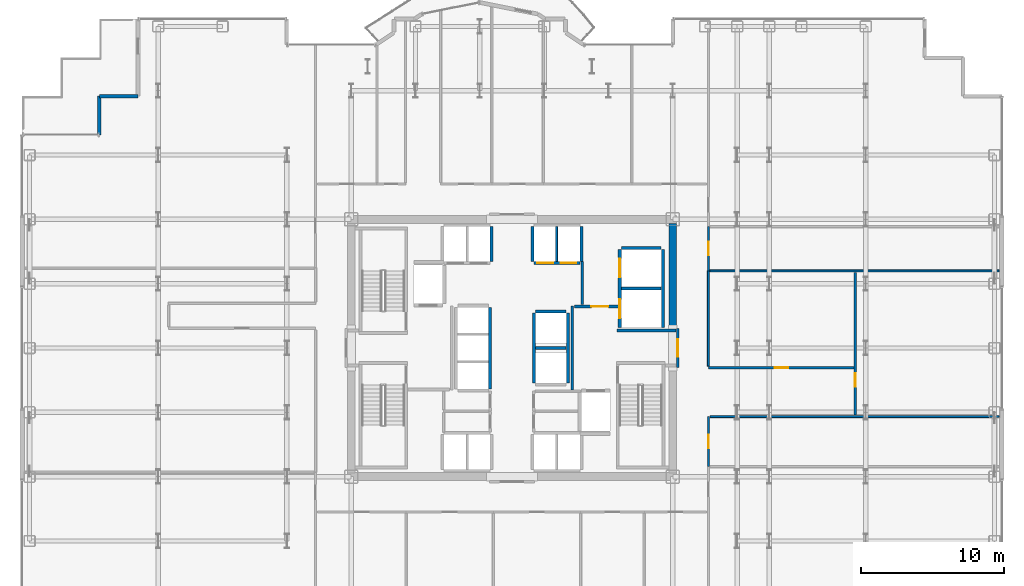
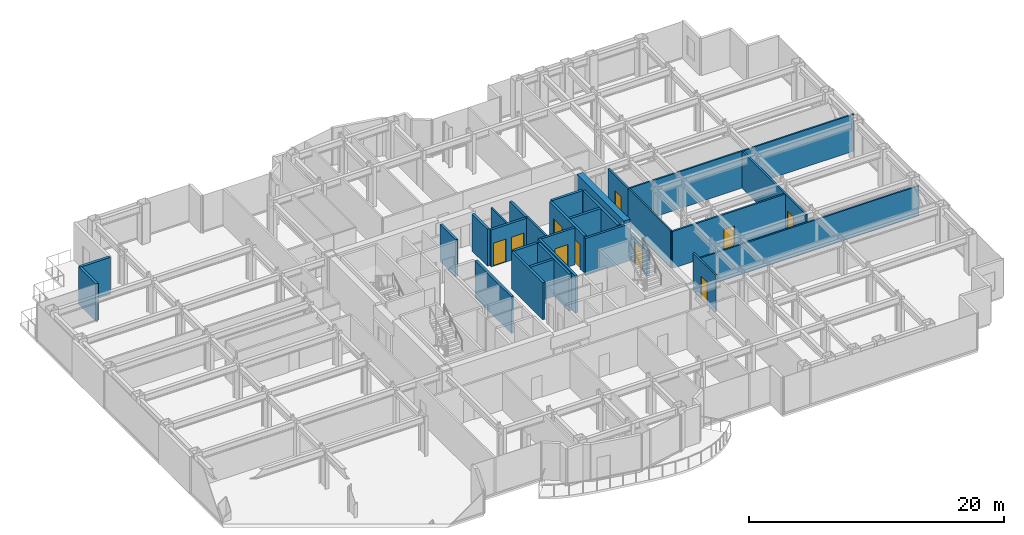
# One storey, part 25 of 29: 29 walls, 10 doors, 10 openings.
"""IFC4 building model written with IfcOpenShell, lengths in metres."""

from ifc_helpers import new_model, si_unit, direction, frame, frame_2d, origin, place, context, subcontext, project, spatial, rectangle, extrude, source, transform, mapped, material, layer, layer_set, type_object, element, fill, save


model = new_model("IFC4")

# Units and contexts
model_context = context("Model", 3, precision=1e-05, world=origin(), true_north=direction((0.0, 1.0)))
body_context = subcontext(model_context, "Body", "Model", "MODEL_VIEW")
ifc_project = project(units=[si_unit("LENGTHUNIT", "METRE"), si_unit("AREAUNIT", "SQUARE_METRE"), si_unit("VOLUMEUNIT", "CUBIC_METRE"), si_unit("PLANEANGLEUNIT", "RADIAN"), si_unit("MASSUNIT", "GRAM", prefix="KILO")], contexts=[model_context])

# Site, building, storey
site_placement = place(None, origin())
site = spatial("IfcSite", under=ifc_project, at=site_placement, CompositionType="ELEMENT")
building_placement = place(site_placement, origin())
building = spatial("IfcBuilding", under=site, at=building_placement, Name="Nefas-Gora Pilgrimage Tower", CompositionType="ELEMENT")
storey_placement = place(building_placement, frame((0.0, 0.0, 125.0)))
storey = spatial("IfcBuildingStorey", under=building, at=storey_placement, Name="L30", CompositionType="ELEMENT", Elevation=125.0)

# Walls
ifc_material_1 = material(Name="Concrete C60/75", Category="concrete")
ifc_layer_1 = layer(ifc_material_1, 0.550048828125)
ifc_layer_set_1 = layer_set([ifc_layer_1], Name="Concrete C60/75")
wall_type_1 = type_object("IfcWallType", Name="SW-CORE-550", PredefinedType="SHEAR", material=ifc_layer_set_1)
shared_shape_1 = source(origin(), body_context, "Body", "SweptSolid", [
    extrude(rectangle(XDim=7.375, YDim=0.550048828125, at=frame_2d((3.6875, 0.0))), origin(), (0.0, 0.0, 1.0), 3.800048828125),
])
wall_1_placement = place(storey_placement, frame((11.25, 1.35009765625, 0.0), z_axis=(0.0, 0.0, 1.0), x_axis=(0.0, 1.0, 0.0)))
element("IfcWall", 1, at=wall_1_placement, inside=storey, type_object=wall_type_1, Name="L30 Core Shear Wall E-North", PredefinedType="SHEAR", context=body_context, shape_type="MappedRepresentation", body=[
    mapped(shared_shape_1, transform((0.0, 0.0, 0.0), x_axis=(1.0, 0.0, 0.0), y_axis=(0.0, 1.0, 0.0), z_axis=(0.0, 0.0, 1.0), scale=1.0)),
])
ifc_material_2 = material(Name="Precast concrete C45/55", Category="concrete")
ifc_layer_2 = layer(ifc_material_2, 0.239990234375)
ifc_layer_set_2 = layer_set([ifc_layer_2], Name="Precast concrete C45/55")
wall_type_2 = type_object("IfcWallType", Name="EW-SERR-240", PredefinedType="SHEAR", material=ifc_layer_set_2)
shared_shape_2 = source(origin(), body_context, "Body", "SweptSolid", [
    extrude(rectangle(XDim=2.7001953125, YDim=0.239990234375, at=frame_2d((1.35009765625, 0.0))), origin(), (0.0, 0.0, 1.0), 3.550048828125),
])
for number, where, z_axis, x_axis, name in (
    (2, (-26.169921875, 17.6201171875, 0.0), (0.0, 0.0, 1.0), (-1.0, 0.0, 0.0), "L30 Serrated Corner Shear Pier Wall 26"),
    (3, (-28.8701171875, 17.6201171875, 0.0), (0.0, 0.0, 1.0), (0.0, -1.0, 0.0), "L30 Serrated Corner Shear Pier Wall 27"),
):
    element("IfcWall", number, at=place(storey_placement, frame(where, z_axis=z_axis, x_axis=x_axis)), inside=storey, type_object=wall_type_2, Name=name, PredefinedType="SHEAR", context=body_context, shape_type="MappedRepresentation", body=[
        mapped(shared_shape_2, transform((0.0, 0.0, 0.0), x_axis=(1.0, 0.0, 0.0), y_axis=(0.0, 1.0, 0.0), z_axis=(0.0, 0.0, 1.0), scale=1.0)),
    ])

# Wall, openings, doors
ifc_material_3 = material(Name="Concrete C40/50", Category="concrete")
ifc_layer_3 = layer(ifc_material_3, 0.219970703125)
ifc_layer_set_3 = layer_set([ifc_layer_3], Name="Concrete C40/50")
wall_type_3 = type_object("IfcWallType", Name="IW-SHAFT-220", PredefinedType="SOLIDWALL", material=ifc_layer_set_3)
shared_shape_3 = source(origin(), body_context, "Body", "SweptSolid", [
    extrude(rectangle(XDim=5.449951171875, YDim=0.219970703125, at=frame_2d((2.72509765625, 0.0))), origin(), (0.0, 0.0, 1.0), 3.534912109375),
])
wall_2_placement = place(storey_placement, frame((7.5400390625, 6.89990234375, 0.0), z_axis=(0.0, 0.0, 1.0), x_axis=(0.0, -1.0, 0.0)))
wall_2 = element("IfcWall", 4, at=wall_2_placement, inside=storey, type_object=wall_type_3, Name="L30 Hoistway Wall SL-01-02-W", PredefinedType="SOLIDWALL", context=body_context, shape_type="MappedRepresentation", body=[
    mapped(shared_shape_3, transform((0.0, 0.0, 0.0), x_axis=(1.0, 0.0, 0.0), y_axis=(0.0, 1.0, 0.0), z_axis=(0.0, 0.0, 1.0), scale=1.0)),
])
opening_1_placement = place(wall_2_placement, frame((3.5, 0.0, 0.0)))
opening_1 = element("IfcOpeningElement", 5, at=opening_1_placement, cuts=wall_2, Name="Opening LD-SV", PredefinedType="OPENING", context=body_context, shape_type="SweptSolid", body=[
    extrude(rectangle(XDim=1.300048828125, YDim=2.300048828125, at=frame_2d((0.64990234375, 1.14990234375))), frame((0.0, 0.119873046875, 0.0), z_axis=(0.0, -1.0, 0.0), x_axis=(1.0, 0.0, 0.0)), (0.0, 0.0, 1.0), 0.239990234375),
])
opening_2_placement = place(wall_2_placement, frame((0.64990234375, 0.0, 0.0)))
opening_2 = element("IfcOpeningElement", 6, at=opening_2_placement, cuts=wall_2, Name="Opening LD-SV", PredefinedType="OPENING", context=body_context, shape_type="SweptSolid", body=[
    extrude(rectangle(XDim=1.300048828125, YDim=2.300048828125, at=frame_2d((0.64990234375, 1.14990234375))), frame((0.0, 0.119873046875, 0.0), z_axis=(0.0, -1.0, 0.0), x_axis=(1.0, 0.0, 0.0)), (0.0, 0.0, 1.0), 0.239990234375),
])
ifc_material_4 = material(Name="Heavy goods sliding lift landing door")
door_type_1 = type_object("IfcDoorType", Name="DR-LIFT-SERV-1300", OperationType="SLIDING_TO_RIGHT", PredefinedType="DOOR", material=ifc_material_4)
shared_shape_4 = source(origin(), body_context, "Body", "SweptSolid", [
    extrude(rectangle(XDim=1.300048828125, YDim=2.300048828125, at=frame_2d((0.64990234375, 1.14990234375))), frame((0.0, 0.02490234375, 0.0), z_axis=(0.0, -1.0, 0.0), x_axis=(1.0, 0.0, 0.0)), (0.0, 0.0, 1.0), 0.050048828125),
])
door_1_placement = place(opening_1_placement, origin())
door_1 = element("IfcDoor", 7, at=door_1_placement, inside=storey, type_object=door_type_1, Name="L30 Sliding Lift Landing Door SL-01", OperationType="SLIDING_TO_RIGHT", OverallHeight=2.300048828125, OverallWidth=1.300048828125, PredefinedType="DOOR", context=body_context, shape_type="MappedRepresentation", body=[
    mapped(shared_shape_4, transform((0.0, 0.0, 0.0), x_axis=(1.0, 0.0, 0.0), y_axis=(0.0, 1.0, 0.0), z_axis=(0.0, 0.0, 1.0), scale=1.0)),
])
fill(opening_1, door_1)
door_2_placement = place(opening_2_placement, origin())
door_2 = element("IfcDoor", 8, at=door_2_placement, inside=storey, type_object=door_type_1, Name="L30 Sliding Lift Landing Door SL-02", OperationType="SLIDING_TO_RIGHT", OverallHeight=2.300048828125, OverallWidth=1.300048828125, PredefinedType="DOOR", context=body_context, shape_type="MappedRepresentation", body=[
    mapped(shared_shape_4, transform((0.0, 0.0, 0.0), x_axis=(1.0, 0.0, 0.0), y_axis=(0.0, 1.0, 0.0), z_axis=(0.0, 0.0, 1.0), scale=1.0)),
])
fill(opening_2, door_2)

# Walls
wall_3_placement = place(storey_placement, frame((10.56005859375, 1.449951171875, 0.0), z_axis=(0.0, 0.0, 1.0), x_axis=(0.0, 1.0, 0.0)))
element("IfcWall", 9, at=wall_3_placement, inside=storey, type_object=wall_type_3, Name="L30 Hoistway Wall SL-01-02-E", PredefinedType="SOLIDWALL", context=body_context, shape_type="MappedRepresentation", body=[
    mapped(shared_shape_3, transform((0.0, 0.0, 0.0), x_axis=(1.0, 0.0, 0.0), y_axis=(0.0, 1.0, 0.0), z_axis=(0.0, 0.0, 1.0), scale=1.0)),
])
shared_shape_5 = source(origin(), body_context, "Body", "SweptSolid", [
    extrude(rectangle(XDim=2.780029296875, YDim=0.219970703125, at=frame_2d((1.39013671875, 0.0))), origin(), (0.0, 0.0, 1.0), 3.534912109375),
])
for number, where, z_axis, x_axis, name in (
    (10, (7.659912109375, 4.175048828125, 0.0), (0.0, 0.0, 1.0), (1.0, 0.0, 0.0), "L30 Hoistway Wall SL-01-02-DIV"),
    (11, (10.43994140625, 7.010009765625, 0.0), (0.0, 0.0, 1.0), (-1.0, 0.0, 0.0), "L30 Hoistway Wall SL-02-N"),
):
    element("IfcWall", number, at=place(storey_placement, frame(where, z_axis=z_axis, x_axis=x_axis)), inside=storey, type_object=wall_type_3, Name=name, PredefinedType="SOLIDWALL", context=body_context, shape_type="MappedRepresentation", body=[
        mapped(shared_shape_5, transform((0.0, 0.0, 0.0), x_axis=(1.0, 0.0, 0.0), y_axis=(0.0, 1.0, 0.0), z_axis=(0.0, 0.0, 1.0), scale=1.0)),
    ])

# Wall, openings, doors
shared_shape_6 = source(origin(), body_context, "Body", "SweptSolid", [
    extrude(rectangle(XDim=3.199951171875, YDim=0.219970703125, at=frame_2d((1.60009765625, 0.0))), origin(), (0.0, 0.0, 1.0), 3.534912109375),
])
wall_4_placement = place(storey_placement, frame((1.550048828125, 5.93994140625, 0.0), z_axis=(0.0, 0.0, 1.0), x_axis=(1.0, 0.0, 0.0)))
wall_4 = element("IfcWall", 12, at=wall_4_placement, inside=storey, type_object=wall_type_3, Name="L30 Hoistway Wall PL1-E-S", PredefinedType="SOLIDWALL", context=body_context, shape_type="MappedRepresentation", body=[
    mapped(shared_shape_6, transform((0.0, 0.0, 0.0), x_axis=(1.0, 0.0, 0.0), y_axis=(0.0, 1.0, 0.0), z_axis=(0.0, 0.0, 1.0), scale=1.0)),
])
opening_3_placement = place(wall_4_placement, frame((0.22509765625, 0.0, 0.0)))
opening_3 = element("IfcOpeningElement", 13, at=opening_3_placement, cuts=wall_4, Name="Opening LD-01", PredefinedType="OPENING", context=body_context, shape_type="SweptSolid", body=[
    extrude(rectangle(XDim=1.10009765625, YDim=2.199951171875, at=frame_2d((0.550048828125, 1.10009765625))), frame((0.0, 0.119873046875, 0.0), z_axis=(0.0, -1.0, 0.0), x_axis=(1.0, 0.0, 0.0)), (0.0, 0.0, 1.0), 0.239990234375),
])
opening_4_placement = place(wall_4_placement, frame((1.85009765625, 0.0, 0.0)))
opening_4 = element("IfcOpeningElement", 14, at=opening_4_placement, cuts=wall_4, Name="Opening LD-01", PredefinedType="OPENING", context=body_context, shape_type="SweptSolid", body=[
    extrude(rectangle(XDim=1.10009765625, YDim=2.199951171875, at=frame_2d((0.550048828125, 1.10009765625))), frame((0.0, 0.119873046875, 0.0), z_axis=(0.0, -1.0, 0.0), x_axis=(1.0, 0.0, 0.0)), (0.0, 0.0, 1.0), 0.239990234375),
])
ifc_material_5 = material(Name="Brushed stainless sliding lift landing door")
door_type_2 = type_object("IfcDoorType", Name="DR-LIFT-PASS-1100", OperationType="DOUBLE_DOOR_SLIDING", PredefinedType="DOOR", material=ifc_material_5)
shared_shape_7 = source(origin(), body_context, "Body", "SweptSolid", [
    extrude(rectangle(XDim=1.10009765625, YDim=2.199951171875, at=frame_2d((0.550048828125, 1.10009765625))), frame((0.0, 0.02490234375, 0.0), z_axis=(0.0, -1.0, 0.0), x_axis=(1.0, 0.0, 0.0)), (0.0, 0.0, 1.0), 0.050048828125),
])
door_3_placement = place(opening_3_placement, origin())
door_3 = element("IfcDoor", 15, at=door_3_placement, inside=storey, type_object=door_type_2, Name="L30 Sliding Lift Landing Door PL1-03", OperationType="DOUBLE_DOOR_SLIDING", OverallHeight=2.199951171875, OverallWidth=1.10009765625, PredefinedType="DOOR", context=body_context, shape_type="MappedRepresentation", body=[
    mapped(shared_shape_7, transform((0.0, 0.0, 0.0), x_axis=(1.0, 0.0, 0.0), y_axis=(0.0, 1.0, 0.0), z_axis=(0.0, 0.0, 1.0), scale=1.0)),
])
fill(opening_3, door_3)
door_4_placement = place(opening_4_placement, origin())
door_4 = element("IfcDoor", 16, at=door_4_placement, inside=storey, type_object=door_type_2, Name="L30 Sliding Lift Landing Door PL1-04", OperationType="DOUBLE_DOOR_SLIDING", OverallHeight=2.199951171875, OverallWidth=1.10009765625, PredefinedType="DOOR", context=body_context, shape_type="MappedRepresentation", body=[
    mapped(shared_shape_7, transform((0.0, 0.0, 0.0), x_axis=(1.0, 0.0, 0.0), y_axis=(0.0, 1.0, 0.0), z_axis=(0.0, 0.0, 1.0), scale=1.0)),
])
fill(opening_4, door_4)

# Walls
shared_shape_8 = source(origin(), body_context, "Body", "SweptSolid", [
    extrude(rectangle(XDim=2.429931640625, YDim=0.219970703125, at=frame_2d((1.21484375, 0.0))), origin(), (0.0, 0.0, 1.0), 3.534912109375),
])
for number, where, z_axis, x_axis, name in (
    (17, (-1.43994140625, 6.06005859375, 0.0), (0.0, 0.0, 1.0), (0.0, 1.0, 0.0), "L30 Hoistway Wall PL1-W-E"),
    (18, (1.43994140625, 8.489990234375, 0.0), (0.0, 0.0, 1.0), (0.0, -1.0, 0.0), "L30 Hoistway Wall PL1-E-W"),
    (19, (4.860107421875, 6.06005859375, 0.0), (0.0, 0.0, 1.0), (0.0, 1.0, 0.0), "L30 Hoistway Wall PL1-E-E"),
):
    element("IfcWall", number, at=place(storey_placement, frame(where, z_axis=z_axis, x_axis=x_axis)), inside=storey, type_object=wall_type_3, Name=name, PredefinedType="SOLIDWALL", context=body_context, shape_type="MappedRepresentation", body=[
        mapped(shared_shape_8, transform((0.0, 0.0, 0.0), x_axis=(1.0, 0.0, 0.0), y_axis=(0.0, 1.0, 0.0), z_axis=(0.0, 0.0, 1.0), scale=1.0)),
    ])
ifc_material_6 = material(Name="Gypsum twin-stud partition")
ifc_layer_4 = layer(ifc_material_6, 0.139892578125)
ifc_layer_set_4 = layer_set([ifc_layer_4], Name="Gypsum twin-stud partition")
wall_type_4 = type_object("IfcWallType", Name="IW-UNIT-140", PredefinedType="PARTITIONING", material=ifc_layer_set_4)
shared_shape_9 = source(origin(), body_context, "Body", "SweptSolid", [
    extrude(rectangle(XDim=2.429931640625, YDim=0.139892578125, at=frame_2d((1.21484375, 0.0))), origin(), (0.0, 0.0, 1.0), 3.534912109375),
])
wall_5_placement = place(storey_placement, frame((3.125, 6.06005859375, 0.0), z_axis=(0.0, 0.0, 1.0), x_axis=(0.0, 1.0, 0.0)))
element("IfcWall", 20, at=wall_5_placement, inside=storey, type_object=wall_type_4, Name="L30 Hoistway Wall PL1-E-DIV", PredefinedType="PARTITIONING", context=body_context, shape_type="MappedRepresentation", body=[
    mapped(shared_shape_9, transform((0.0, 0.0, 0.0), x_axis=(1.0, 0.0, 0.0), y_axis=(0.0, 1.0, 0.0), z_axis=(0.0, 0.0, 1.0), scale=1.0)),
])
shared_shape_10 = source(origin(), body_context, "Body", "SweptSolid", [
    extrude(rectangle(XDim=5.7001953125, YDim=0.219970703125, at=frame_2d((2.85009765625, 0.0))), origin(), (0.0, 0.0, 1.0), 3.534912109375),
])
wall_6_placement = place(storey_placement, frame((-1.5400390625, -2.85009765625, 0.0), z_axis=(0.0, 0.0, 1.0), x_axis=(0.0, 1.0, 0.0)))
element("IfcWall", 21, at=wall_6_placement, inside=storey, type_object=wall_type_3, Name="L30 Hoistway Wall PL3-01-03-E", PredefinedType="SOLIDWALL", context=body_context, shape_type="MappedRepresentation", body=[
    mapped(shared_shape_10, transform((0.0, 0.0, 0.0), x_axis=(1.0, 0.0, 0.0), y_axis=(0.0, 1.0, 0.0), z_axis=(0.0, 0.0, 1.0), scale=1.0)),
])
shared_shape_11 = source(origin(), body_context, "Body", "SweptSolid", [
    extrude(rectangle(XDim=2.130126953125, YDim=0.219970703125, at=frame_2d((1.06494140625, 0.0))), origin(), (0.0, 0.0, 1.0), 3.534912109375),
])
for number, where, z_axis, x_axis, name in (
    (22, (1.659912109375, 0.0, 0.0), (0.0, 0.0, 1.0), (1.0, 0.0, 0.0), "L30 Hoistway Wall OBS-01-02-DIV"),
    (23, (3.7900390625, 2.56005859375, 0.0), (0.0, 0.0, 1.0), (-1.0, 0.0, 0.0), "L30 Hoistway Wall OBS-02-N"),
):
    element("IfcWall", number, at=place(storey_placement, frame(where, z_axis=z_axis, x_axis=x_axis)), inside=storey, type_object=wall_type_3, Name=name, PredefinedType="SOLIDWALL", context=body_context, shape_type="MappedRepresentation", body=[
        mapped(shared_shape_11, transform((0.0, 0.0, 0.0), x_axis=(1.0, 0.0, 0.0), y_axis=(0.0, 1.0, 0.0), z_axis=(0.0, 0.0, 1.0), scale=1.0)),
    ])
shared_shape_12 = source(origin(), body_context, "Body", "SweptSolid", [
    extrude(rectangle(XDim=4.89990234375, YDim=0.219970703125, at=frame_2d((2.449951171875, 0.0))), origin(), (0.0, 0.0, 1.0), 3.534912109375),
])
for number, where, z_axis, x_axis, name in (
    (24, (1.5400390625, 2.449951171875, 0.0), (0.0, 0.0, 1.0), (0.0, -1.0, 0.0), "L30 Hoistway Wall OBS-01-02-W"),
    (25, (3.909912109375, -2.449951171875, 0.0), (0.0, 0.0, 1.0), (0.0, 1.0, 0.0), "L30 Hoistway Wall OBS-01-02-E"),
):
    element("IfcWall", number, at=place(storey_placement, frame(where, z_axis=z_axis, x_axis=x_axis)), inside=storey, type_object=wall_type_3, Name=name, PredefinedType="SOLIDWALL", context=body_context, shape_type="MappedRepresentation", body=[
        mapped(shared_shape_12, transform((0.0, 0.0, 0.0), x_axis=(1.0, 0.0, 0.0), y_axis=(0.0, 1.0, 0.0), z_axis=(0.0, 0.0, 1.0), scale=1.0)),
    ])

# Wall, opening, door
ifc_material_7 = material(Name="Gypsum fire-rated shaftwall")
ifc_layer_5 = layer(ifc_material_7, 0.199951171875)
ifc_layer_set_5 = layer_set([ifc_layer_5], Name="Gypsum fire-rated shaftwall")
wall_type_5 = type_object("IfcWallType", Name="IW-FFLOB-200", PredefinedType="PARTITIONING", material=ifc_layer_set_5)
shared_shape_13 = source(origin(), body_context, "Body", "SweptSolid", [
    extrude(rectangle(XDim=2.7001953125, YDim=0.199951171875, at=frame_2d((1.35009765625, 0.0))), origin(), (0.0, 0.0, 1.0), 2.425048828125),
])
wall_7_placement = place(storey_placement, frame((11.60009765625, -1.35009765625, 0.0), z_axis=(0.0, 0.0, 1.0), x_axis=(0.0, 1.0, 0.0)))
wall_7 = element("IfcWall", 26, at=wall_7_placement, inside=storey, type_object=wall_type_5, Name="L30 FF Lobby East Portal Wall 8", PredefinedType="PARTITIONING", context=body_context, shape_type="MappedRepresentation", body=[
    mapped(shared_shape_13, transform((0.0, 0.0, 0.0), x_axis=(1.0, 0.0, 0.0), y_axis=(0.0, 1.0, 0.0), z_axis=(0.0, 0.0, 1.0), scale=1.0)),
])
opening_5_placement = place(wall_7_placement, frame((0.75, 0.0, 0.0)))
opening_5 = element("IfcOpeningElement", 27, at=opening_5_placement, cuts=wall_7, Name="Opening ID-FF1", PredefinedType="OPENING", context=body_context, shape_type="SweptSolid", body=[
    extrude(rectangle(XDim=1.199951171875, YDim=2.14990234375, at=frame_2d((0.60009765625, 1.074951171875))), frame((0.0, 0.10986328125, 0.0), z_axis=(0.0, -1.0, 0.0), x_axis=(1.0, 0.0, 0.0)), (0.0, 0.0, 1.0), 0.219970703125),
])
ifc_material_8 = material(Name="Smoke-sealed steel firefighting lobby door", Category="steel")
door_type_3 = type_object("IfcDoorType", Name="DR-INT-FFLOB-1200", OperationType="NOTDEFINED", PredefinedType="DOOR", material=ifc_material_8)
shared_shape_14 = source(origin(), body_context, "Body", "SweptSolid", [
    extrude(rectangle(XDim=1.199951171875, YDim=2.14990234375, at=frame_2d((0.60009765625, 1.074951171875))), frame((0.0, 0.02490234375, 0.0), z_axis=(0.0, -1.0, 0.0), x_axis=(1.0, 0.0, 0.0)), (0.0, 0.0, 1.0), 0.050048828125),
])
door_5_placement = place(opening_5_placement, origin())
door_5 = element("IfcDoor", 28, at=door_5_placement, inside=storey, type_object=door_type_3, Name="L30 FF Lobby East Portal Door 2", OperationType="SINGLE_SWING_LEFT", OverallHeight=2.14990234375, OverallWidth=1.199951171875, PredefinedType="DOOR", context=body_context, shape_type="MappedRepresentation", body=[
    mapped(shared_shape_14, transform((0.0, 0.0, 0.0), x_axis=(1.0, 0.0, 0.0), y_axis=(0.0, 1.0, 0.0), z_axis=(0.0, 0.0, 1.0), scale=1.0)),
])
fill(opening_5, door_5)

# Wall
shared_shape_15 = source(origin(), body_context, "Body", "SweptSolid", [
    extrude(rectangle(XDim=5.89990234375, YDim=0.199951171875, at=frame_2d((2.949951171875, 0.0))), origin(), (0.0, 0.0, 1.0), 3.534912109375),
])
wall_8_placement = place(storey_placement, frame((4.219970703125, -2.949951171875, 0.0), z_axis=(0.0, 0.0, 1.0), x_axis=(0.0, 1.0, 0.0)))
element("IfcWall", 29, at=wall_8_placement, inside=storey, type_object=wall_type_5, Name="L30 FF Lobby East Inner Wall Wall 9", PredefinedType="PARTITIONING", context=body_context, shape_type="MappedRepresentation", body=[
    mapped(shared_shape_15, transform((0.0, 0.0, 0.0), x_axis=(1.0, 0.0, 0.0), y_axis=(0.0, 1.0, 0.0), z_axis=(0.0, 0.0, 1.0), scale=1.0)),
])

# Wall, opening, door
shared_shape_16 = source(origin(), body_context, "Body", "SweptSolid", [
    extrude(rectangle(XDim=3.039794921875, YDim=0.199951171875, at=frame_2d((1.52001953125, 0.0))), origin(), (0.0, 0.0, 1.0), 3.534912109375),
])
wall_9_placement = place(storey_placement, frame((4.360107421875, 2.89990234375, 0.0), z_axis=(0.0, 0.0, 1.0), x_axis=(1.0, 0.0, 0.0)))
wall_9 = element("IfcWall", 30, at=wall_9_placement, inside=storey, type_object=wall_type_5, Name="L30 FF Lobby East North Wall Wall 10", PredefinedType="PARTITIONING", context=body_context, shape_type="MappedRepresentation", body=[
    mapped(shared_shape_16, transform((0.0, 0.0, 0.0), x_axis=(1.0, 0.0, 0.0), y_axis=(0.0, 1.0, 0.0), z_axis=(0.0, 0.0, 1.0), scale=1.0)),
])
opening_6_placement = place(wall_9_placement, frame((1.18994140625, 0.0, 0.0)))
opening_6 = element("IfcOpeningElement", 31, at=opening_6_placement, cuts=wall_9, Name="Opening ID-PL1", PredefinedType="OPENING", context=body_context, shape_type="SweptSolid", body=[
    extrude(rectangle(XDim=1.199951171875, YDim=2.14990234375, at=frame_2d((0.60009765625, 1.074951171875))), frame((0.0, 0.10986328125, 0.0), z_axis=(0.0, -1.0, 0.0), x_axis=(1.0, 0.0, 0.0)), (0.0, 0.0, 1.0), 0.219970703125),
])
ifc_material_9 = material(Name="Heavy-duty steel plant room fire door", Category="steel")
door_type_4 = type_object("IfcDoorType", Name="DR-INT-PLANT-1200", OperationType="NOTDEFINED", PredefinedType="DOOR", material=ifc_material_9)
door_6_placement = place(opening_6_placement, origin())
door_6 = element("IfcDoor", 32, at=door_6_placement, inside=storey, type_object=door_type_4, Name="L30 Service Lift Lobby Door Door 3", OperationType="SINGLE_SWING_RIGHT", OverallHeight=2.14990234375, OverallWidth=1.199951171875, PredefinedType="DOOR", context=body_context, shape_type="MappedRepresentation", body=[
    mapped(shared_shape_14, transform((0.0, 0.0, 0.0), x_axis=(1.0, 0.0, 0.0), y_axis=(0.0, 1.0, 0.0), z_axis=(0.0, 0.0, 1.0), scale=1.0)),
])
fill(opening_6, door_6)

# Walls
shared_shape_17 = source(origin(), body_context, "Body", "SweptSolid", [
    extrude(rectangle(XDim=4.10986328125, YDim=0.199951171875, at=frame_2d((2.054931640625, 0.0))), origin(), (0.0, 0.0, 1.0), 3.534912109375),
])
wall_10_placement = place(storey_placement, frame((7.35009765625, 1.219970703125, 0.0), z_axis=(0.0, 0.0, 1.0), x_axis=(1.0, 0.0, 0.0)))
element("IfcWall", 33, at=wall_10_placement, inside=storey, type_object=wall_type_5, Name="L30 FF Lobby East Throat N Wall 11", PredefinedType="PARTITIONING", context=body_context, shape_type="MappedRepresentation", body=[
    mapped(shared_shape_17, transform((0.0, 0.0, 0.0), x_axis=(1.0, 0.0, 0.0), y_axis=(0.0, 1.0, 0.0), z_axis=(0.0, 0.0, 1.0), scale=1.0)),
])
ifc_material_10 = material(Name="Gypsum acoustic stud partition")
ifc_layer_6 = layer(ifc_material_10, 0.159912109375)
ifc_layer_set_6 = layer_set([ifc_layer_6], Name="Gypsum acoustic stud partition")
wall_type_6 = type_object("IfcWallType", Name="IW-CORR-160", PredefinedType="PARTITIONING", material=ifc_layer_set_6)
shared_shape_18 = source(origin(), body_context, "Body", "SweptSolid", [
    extrude(rectangle(XDim=3.014892578125, YDim=0.159912109375, at=frame_2d((1.50732421875, 0.0))), origin(), (0.0, 0.0, 1.0), 3.534912109375),
])
wall_11_placement = place(storey_placement, frame((4.919921875, 3.0400390625, 0.0), z_axis=(0.0, 0.0, 1.0), x_axis=(0.0, 1.0, 0.0)))
element("IfcWall", 34, at=wall_11_placement, inside=storey, type_object=wall_type_6, Name="L30 Service Lift Lobby West Wall Wall 15", PredefinedType="PARTITIONING", context=body_context, shape_type="MappedRepresentation", body=[
    mapped(shared_shape_18, transform((0.0, 0.0, 0.0), x_axis=(1.0, 0.0, 0.0), y_axis=(0.0, 1.0, 0.0), z_axis=(0.0, 0.0, 1.0), scale=1.0)),
])

# Wall, opening, door
shared_shape_19 = source(origin(), body_context, "Body", "SweptSolid", [
    extrude(rectangle(XDim=10.25, YDim=0.159912109375, at=frame_2d((5.125, 0.0))), origin(), (0.0, 0.0, 1.0), 3.534912109375),
])
wall_12_placement = place(storey_placement, frame((13.72998046875, -1.3798828125, 0.0), z_axis=(0.0, 0.0, 1.0), x_axis=(1.0, 0.0, 0.0)))
wall_12 = element("IfcWall", 35, at=wall_12_placement, inside=storey, type_object=wall_type_6, Name="L30 Pilgrim Tea and Beverage Pantry Partition Wall 41", PredefinedType="PARTITIONING", context=body_context, shape_type="MappedRepresentation", body=[
    mapped(shared_shape_19, transform((0.0, 0.0, 0.0), x_axis=(1.0, 0.0, 0.0), y_axis=(0.0, 1.0, 0.0), z_axis=(0.0, 0.0, 1.0), scale=1.0)),
])
opening_7_placement = place(wall_12_placement, frame((4.64990234375, 0.0, 0.0)))
opening_7 = element("IfcOpeningElement", 36, at=opening_7_placement, cuts=wall_12, Name="Opening ID-GR1", PredefinedType="OPENING", context=body_context, shape_type="SweptSolid", body=[
    extrude(rectangle(XDim=0.949951171875, YDim=2.10009765625, at=frame_2d((0.47509765625, 1.050048828125))), frame((0.0, 0.08984375, 0.0), z_axis=(0.0, -1.0, 0.0), x_axis=(1.0, 0.0, 0.0)), (0.0, 0.0, 1.0), 0.179931640625),
])
ifc_material_11 = material(Name="Solid core oak fire-rated guest entrance door")
door_type_5 = type_object("IfcDoorType", Name="DR-INT-GUEST-950", OperationType="NOTDEFINED", PredefinedType="DOOR", material=ifc_material_11)
shared_shape_20 = source(origin(), body_context, "Body", "SweptSolid", [
    extrude(rectangle(XDim=0.949951171875, YDim=2.10009765625, at=frame_2d((0.47509765625, 1.050048828125))), frame((0.0, 0.02490234375, 0.0), z_axis=(0.0, -1.0, 0.0), x_axis=(1.0, 0.0, 0.0)), (0.0, 0.0, 1.0), 0.050048828125),
])
door_7_placement = place(opening_7_placement, origin())
door_7 = element("IfcDoor", 37, at=door_7_placement, inside=storey, type_object=door_type_5, Name="L30 Pilgrim Tea and Beverage Pantry Door 16", OperationType="SINGLE_SWING_LEFT", OverallHeight=2.10009765625, OverallWidth=0.949951171875, PredefinedType="DOOR", context=body_context, shape_type="MappedRepresentation", body=[
    mapped(shared_shape_20, transform((0.0, 0.0, 0.0), x_axis=(1.0, 0.0, 0.0), y_axis=(0.0, 1.0, 0.0), z_axis=(0.0, 0.0, 1.0), scale=1.0)),
])
fill(opening_7, door_7)

# Walls
shared_shape_21 = source(origin(), body_context, "Body", "SweptSolid", [
    extrude(rectangle(XDim=20.22998046875, YDim=0.139892578125, at=frame_2d((10.114990234375, 0.0))), origin(), (0.0, 0.0, 1.0), 3.534912109375),
])
wall_13_placement = place(storey_placement, frame((13.85009765625, 5.39501953125, 0.0), z_axis=(0.0, 0.0, 1.0), x_axis=(1.0, 0.0, 0.0)))
element("IfcWall", 38, at=wall_13_placement, inside=storey, type_object=wall_type_4, Name="L30 Pilgrim Tea and Beverage Pantry Partition Wall 43", PredefinedType="PARTITIONING", context=body_context, shape_type="MappedRepresentation", body=[
    mapped(shared_shape_21, transform((0.0, 0.0, 0.0), x_axis=(1.0, 0.0, 0.0), y_axis=(0.0, 1.0, 0.0), z_axis=(0.0, 0.0, 1.0), scale=1.0)),
])
shared_shape_22 = source(origin(), body_context, "Body", "SweptSolid", [
    extrude(rectangle(XDim=6.6650390625, YDim=0.139892578125, at=frame_2d((3.33251953125, 0.0))), origin(), (0.0, 0.0, 1.0), 3.534912109375),
])
wall_14_placement = place(storey_placement, frame((13.739990234375, -1.260009765625, 0.0), z_axis=(0.0, 0.0, 1.0), x_axis=(0.0, 1.0, 0.0)))
element("IfcWall", 39, at=wall_14_placement, inside=storey, type_object=wall_type_4, Name="L30 Pilgrim Tea and Beverage Pantry Partition Wall 42", PredefinedType="PARTITIONING", context=body_context, shape_type="MappedRepresentation", body=[
    mapped(shared_shape_22, transform((0.0, 0.0, 0.0), x_axis=(1.0, 0.0, 0.0), y_axis=(0.0, 1.0, 0.0), z_axis=(0.0, 0.0, 1.0), scale=1.0)),
])
shared_shape_23 = source(origin(), body_context, "Body", "SweptSolid", [
    extrude(rectangle(XDim=20.219970703125, YDim=0.139892578125, at=frame_2d((10.10986328125, 0.0))), origin(), (0.0, 0.0, 1.0), 2.875),
])
wall_15_placement = place(storey_placement, frame((13.860107421875, -4.804931640625, 0.0), z_axis=(0.0, 0.0, 1.0), x_axis=(1.0, 0.0, 0.0)))
element("IfcWall", 40, at=wall_15_placement, inside=storey, type_object=wall_type_4, Name="L30 Pilgrim Tea and Beverage Pantry Partition Wall 40", PredefinedType="PARTITIONING", context=body_context, shape_type="MappedRepresentation", body=[
    mapped(shared_shape_23, transform((0.0, 0.0, 0.0), x_axis=(1.0, 0.0, 0.0), y_axis=(0.0, 1.0, 0.0), z_axis=(0.0, 0.0, 1.0), scale=1.0)),
])

# Wall, opening, door
shared_shape_24 = source(origin(), body_context, "Body", "SweptSolid", [
    extrude(rectangle(XDim=3.510009765625, YDim=0.159912109375, at=frame_2d((1.7548828125, 0.0))), origin(), (0.0, 0.0, 1.0), 3.534912109375),
])
wall_16_placement = place(storey_placement, frame((13.739990234375, -8.304931640625, 0.0), z_axis=(0.0, 0.0, 1.0), x_axis=(0.0, 1.0, 0.0)))
wall_16 = element("IfcWall", 41, at=wall_16_placement, inside=storey, type_object=wall_type_6, Name="L30 Pilgrim Tea and Beverage Pantry Partition Wall 39", PredefinedType="PARTITIONING", context=body_context, shape_type="MappedRepresentation", body=[
    mapped(shared_shape_24, transform((0.0, 0.0, 0.0), x_axis=(1.0, 0.0, 0.0), y_axis=(0.0, 1.0, 0.0), z_axis=(0.0, 0.0, 1.0), scale=1.0)),
])
opening_8_placement = place(wall_16_placement, frame((1.280029296875, 0.0, 0.0)))
opening_8 = element("IfcOpeningElement", 42, at=opening_8_placement, cuts=wall_16, Name="Opening ID-GR1", PredefinedType="OPENING", context=body_context, shape_type="SweptSolid", body=[
    extrude(rectangle(XDim=0.949951171875, YDim=2.10009765625, at=frame_2d((0.47509765625, 1.050048828125))), frame((0.0, 0.08984375, 0.0), z_axis=(0.0, -1.0, 0.0), x_axis=(1.0, 0.0, 0.0)), (0.0, 0.0, 1.0), 0.179931640625),
])
door_8_placement = place(opening_8_placement, origin())
door_8 = element("IfcDoor", 43, at=door_8_placement, inside=storey, type_object=door_type_5, Name="L30 Pilgrim Tea and Beverage Pantry Door 15", OperationType="SINGLE_SWING_RIGHT", OverallHeight=2.10009765625, OverallWidth=0.949951171875, PredefinedType="DOOR", context=body_context, shape_type="MappedRepresentation", body=[
    mapped(shared_shape_20, transform((0.0, 0.0, 0.0), x_axis=(1.0, 0.0, 0.0), y_axis=(0.0, 1.0, 0.0), z_axis=(0.0, 0.0, 1.0), scale=1.0)),
])
fill(opening_8, door_8)

shared_shape_25 = source(origin(), body_context, "Body", "SweptSolid", [
    extrude(rectangle(XDim=9.97998046875, YDim=0.159912109375, at=frame_2d((4.989990234375, 0.0))), origin(), (0.0, 0.0, 1.0), 3.534912109375),
])
wall_17_placement = place(storey_placement, frame((24.02001953125, -4.695068359375, 0.0), z_axis=(0.0, 0.0, 1.0), x_axis=(0.0, 1.0, 0.0)))
wall_17 = element("IfcWall", 44, at=wall_17_placement, inside=storey, type_object=wall_type_6, Name="L30 Pilgrim Tea and Beverage Pantry Partition Wall 44", PredefinedType="PARTITIONING", context=body_context, shape_type="MappedRepresentation", body=[
    mapped(shared_shape_25, transform((0.0, 0.0, 0.0), x_axis=(1.0, 0.0, 0.0), y_axis=(0.0, 1.0, 0.0), z_axis=(0.0, 0.0, 1.0), scale=1.0)),
])
opening_9_placement = place(wall_17_placement, frame((1.969970703125, 0.0, 0.0)))
opening_9 = element("IfcOpeningElement", 45, at=opening_9_placement, cuts=wall_17, Name="Opening ID-GR1", PredefinedType="OPENING", context=body_context, shape_type="SweptSolid", body=[
    extrude(rectangle(XDim=0.949951171875, YDim=2.10009765625, at=frame_2d((0.47509765625, 1.050048828125))), frame((0.0, 0.08984375, 0.0), z_axis=(0.0, -1.0, 0.0), x_axis=(1.0, 0.0, 0.0)), (0.0, 0.0, 1.0), 0.179931640625),
])
door_9_placement = place(opening_9_placement, origin())
door_9 = element("IfcDoor", 46, at=door_9_placement, inside=storey, type_object=door_type_5, Name="L30 Pilgrim Tea and Beverage Pantry Door 17", OperationType="SINGLE_SWING_RIGHT", OverallHeight=2.10009765625, OverallWidth=0.949951171875, PredefinedType="DOOR", context=body_context, shape_type="MappedRepresentation", body=[
    mapped(shared_shape_20, transform((0.0, 0.0, 0.0), x_axis=(1.0, 0.0, 0.0), y_axis=(0.0, 1.0, 0.0), z_axis=(0.0, 0.0, 1.0), scale=1.0)),
])
fill(opening_9, door_9)

shared_shape_26 = source(origin(), body_context, "Body", "SweptSolid", [
    extrude(rectangle(XDim=3.10986328125, YDim=0.159912109375, at=frame_2d((1.554931640625, 0.0))), origin(), (0.0, 0.0, 1.0), 3.534912109375),
])
wall_18_placement = place(storey_placement, frame((13.739990234375, 5.39501953125, 0.0), z_axis=(0.0, 0.0, 1.0), x_axis=(0.0, 1.0, 0.0)))
wall_18 = element("IfcWall", 47, at=wall_18_placement, inside=storey, type_object=wall_type_6, Name="L30 Pilgrim Fellowship Seminar Room Partition Wall 45", PredefinedType="PARTITIONING", context=body_context, shape_type="MappedRepresentation", body=[
    mapped(shared_shape_26, transform((0.0, 0.0, 0.0), x_axis=(1.0, 0.0, 0.0), y_axis=(0.0, 1.0, 0.0), z_axis=(0.0, 0.0, 1.0), scale=1.0)),
])
opening_10_placement = place(wall_18_placement, frame((1.080078125, 0.0, 0.0)))
opening_10 = element("IfcOpeningElement", 48, at=opening_10_placement, cuts=wall_18, Name="Opening ID-GR1", PredefinedType="OPENING", context=body_context, shape_type="SweptSolid", body=[
    extrude(rectangle(XDim=0.949951171875, YDim=2.10009765625, at=frame_2d((0.47509765625, 1.050048828125))), frame((0.0, 0.08984375, 0.0), z_axis=(0.0, -1.0, 0.0), x_axis=(1.0, 0.0, 0.0)), (0.0, 0.0, 1.0), 0.179931640625),
])
door_10_placement = place(opening_10_placement, origin())
door_10 = element("IfcDoor", 49, at=door_10_placement, inside=storey, type_object=door_type_5, Name="L30 Pilgrim Fellowship Seminar Room Door 18", OperationType="SINGLE_SWING_LEFT", OverallHeight=2.10009765625, OverallWidth=0.949951171875, PredefinedType="DOOR", context=body_context, shape_type="MappedRepresentation", body=[
    mapped(shared_shape_20, transform((0.0, 0.0, 0.0), x_axis=(1.0, 0.0, 0.0), y_axis=(0.0, 1.0, 0.0), z_axis=(0.0, 0.0, 1.0), scale=1.0)),
])
fill(opening_10, door_10)

save(model, "model.ifc")
